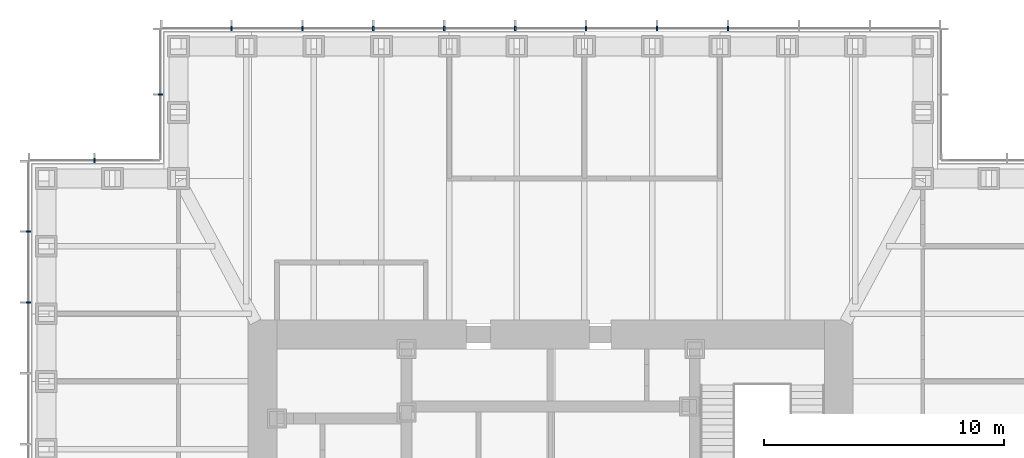
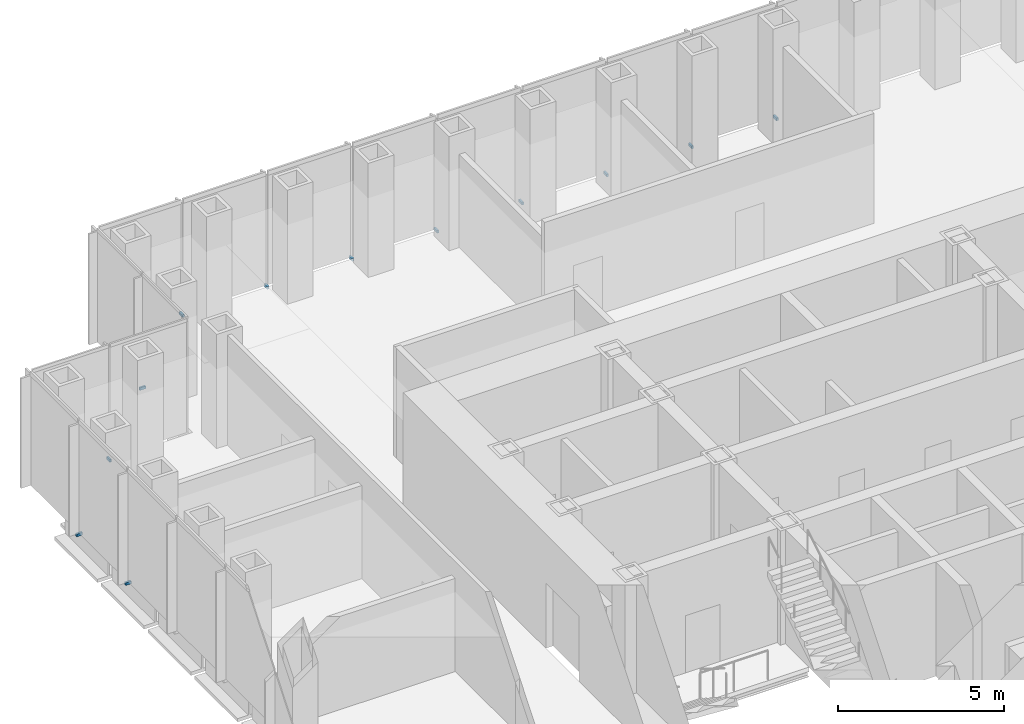
# One storey, part 14 of 16: 12 discrete accessories.
"""IFC4 building model written with IfcOpenShell, lengths in metres."""

import ifcopenshell
import ifcopenshell.guid

model = None  # the IFC model being written
_history = None  # IfcOwnerHistory: only IFC2X3 demands one
_inside = {}  # id of a spatial element -> (the spatial element, [elements in it])
_under = {}  # id of a project, library or spatial element -> (it, [spatial elements below it])
_declared = {}  # id of a project -> (the project, [libraries it declares])
_typed = {}  # id of a type object -> (the type object, [elements of that type])
_made_of = {}  # id of a material, layer set ... -> (it, [elements and type objects made of it])


def new_model(schema):
    """Start an empty IFC model of exactly this schema.

    Asked for "IFC4X3", IfcOpenShell would pick the latest addendum, in which some entities
    have other attributes; the version numbers below select the first issue.
    IFC2X3 requires an IfcOwnerHistory on every rooted entity: one is made here for all.
    """
    global model, _history
    if schema == "IFC4X3":
        model = ifcopenshell.file(schema_version=(4, 3, 0, 0))
    else:
        model = ifcopenshell.file(schema=schema)
    _inside.clear()
    _under.clear()
    _declared.clear()
    _typed.clear()
    _made_of.clear()
    _history = None
    if model.schema == "IFC2X3":
        org = make("IfcOrganization", Name="unknown")
        user = make(
            "IfcPersonAndOrganization",
            ThePerson=make("IfcPerson", FamilyName="unknown"),
            TheOrganization=org,
        )
        app = make(
            "IfcApplication",
            ApplicationDeveloper=org,
            Version="unknown",
            ApplicationFullName="unknown",
            ApplicationIdentifier="unknown",
        )
        _history = make(
            "IfcOwnerHistory",
            OwningUser=user,
            OwningApplication=app,
            ChangeAction="ADDED",
            CreationDate=0,
        )
    return model


def make(cls, **values):
    """One entity of the class cls with the attributes given. An attribute that is None is left unset."""
    return model.create_entity(
        cls, **{name: value for name, value in values.items() if value is not None}
    )


def rooted(cls, **values):
    """An entity with a GlobalId (a new one), such as an element, a storey or a relation."""
    return make(cls, GlobalId=ifcopenshell.guid.new(), OwnerHistory=_history, **values)


def si_unit(unit_type, name, prefix=None):
    """IfcSIUnit, for example si_unit("LENGTHUNIT", "METRE", prefix="MILLI")."""
    return make("IfcSIUnit", UnitType=unit_type, Prefix=prefix, Name=name)


def assignment(units):
    """IfcUnitAssignment: the units of a project."""
    return None if units is None else make("IfcUnitAssignment", Units=units)


def point(xyz):
    """IfcCartesianPoint."""
    return None if xyz is None else make("IfcCartesianPoint", Coordinates=xyz)


def direction(xyz):
    """IfcDirection."""
    return None if xyz is None else make("IfcDirection", DirectionRatios=xyz)


def frame(location, z_axis=None, x_axis=None):
    """IfcAxis2Placement3D, a coordinate frame: its origin and axes. An axis left out is left unset."""
    return make(
        "IfcAxis2Placement3D",
        Location=point(location),
        Axis=direction(z_axis),
        RefDirection=direction(x_axis),
    )


def frame_2d(location, x_axis=None):
    """IfcAxis2Placement2D, a coordinate frame in the plane: its origin and x axis."""
    return make(
        "IfcAxis2Placement2D", Location=point(location), RefDirection=direction(x_axis)
    )


def origin():
    """The frame at (0, 0, 0) with its axes left unset."""
    return frame((0.0, 0.0, 0.0))


def origin_2d():
    """The frame at (0, 0) in the plane with its x axis left unset."""
    return frame_2d((0.0, 0.0))


def place(relative_to, where):
    """IfcLocalPlacement: puts the frame where relative to a parent placement (None: the world)."""
    return make(
        "IfcLocalPlacement", PlacementRelTo=relative_to, RelativePlacement=where
    )


def context(
    kind, dimensions, precision=None, world=None, true_north=None, identifier=None
):
    """IfcGeometricRepresentationContext, for example the 3D "Model" context."""
    return make(
        "IfcGeometricRepresentationContext",
        ContextIdentifier=identifier,
        ContextType=kind,
        CoordinateSpaceDimension=dimensions,
        Precision=precision,
        WorldCoordinateSystem=world,
        TrueNorth=true_north,
    )


def subcontext(parent, identifier, kind, view, scale=None):
    """IfcGeometricRepresentationSubContext, for example "Body" below "Model"."""
    return make(
        "IfcGeometricRepresentationSubContext",
        ContextIdentifier=identifier,
        ContextType=kind,
        ParentContext=parent,
        TargetScale=scale,
        TargetView=view,
    )


def project(units=None, contexts=None):
    """IfcProject with its units and contexts."""
    return rooted(
        "IfcProject",
        Name="project",
        RepresentationContexts=contexts,
        UnitsInContext=assignment(units),
    )


def spatial(cls, under=None, at=None, **own):
    """A site, building, storey or space (cls), placed at a placement, below another one or the project."""
    s = rooted(cls, ObjectPlacement=at, **own)
    if under is not None:
        _under.setdefault(under.id(), (under, []))[1].append(s)
    return s


def profile(cls, at=None, kind="AREA", **sizes):
    """A parametric profile (cls). Its sizes go by their IFC names, for example OverallWidth=200.0."""
    return make(cls, ProfileType=kind, Position=at, **sizes)


def rectangle(**sizes):
    """IfcRectangleProfileDef."""
    return profile("IfcRectangleProfileDef", **sizes)


def extrude(swept, where, along, depth):
    """IfcExtrudedAreaSolid: the profile swept, set in the frame where, extruded along a direction by depth."""
    return make(
        "IfcExtrudedAreaSolid",
        SweptArea=swept,
        Position=where,
        ExtrudedDirection=direction(along),
        Depth=depth,
    )


def shape(context_of_items, identifier, shape_type, items):
    """IfcShapeRepresentation: the items that make up one representation, for example the "Body"."""
    return make(
        "IfcShapeRepresentation",
        ContextOfItems=context_of_items,
        RepresentationIdentifier=identifier,
        RepresentationType=shape_type,
        Items=items,
    )


def made_of(thing, what):
    """Note that an element or type object is made of a material, layer set ...; save() writes the relation."""
    if what is not None:
        _made_of.setdefault(what.id(), (what, []))[1].append(thing)
    return thing


def element(
    cls,
    number,
    at=None,
    inside=None,
    cuts=None,
    type_object=None,
    material=None,
    context=None,
    identifier="Body",
    shape_type=None,
    held_by="IfcProductDefinitionShape",
    body=None,
    shapes=None,
    **own,
):
    """One element of the class cls, such as IfcWall. Its Tag is "e" and its number.

    at: its placement. inside: the storey or other place that contains it. cuts: it is an
    opening in that element (IfcRelVoidsElement). A single representation is given by context,
    identifier, shape_type and body (its items); several are given by shapes. held_by: the class
    of the entity that holds the representations. save() writes the other relations.
    """
    e = rooted(cls, Tag="e%d" % number, ObjectPlacement=at, **own)
    if body is not None:
        shapes = [shape(context, identifier, shape_type, body)]
    if shapes is not None:
        e.Representation = make(held_by, Representations=shapes)
    if inside is not None:
        _inside.setdefault(inside.id(), (inside, []))[1].append(e)
    if cuts is not None:
        rooted(
            "IfcRelVoidsElement", RelatingBuildingElement=cuts, RelatedOpeningElement=e
        )
    if type_object is not None:
        _typed.setdefault(type_object.id(), (type_object, []))[1].append(e)
    return made_of(e, material)


def aggregate(whole, parts):
    """IfcRelAggregates: a whole, such as a stair, and the parts it consists of."""
    return rooted("IfcRelAggregates", RelatingObject=whole, RelatedObjects=parts)


def save(model, path):
    """Write the relations noted so far, then the file.

    IfcRelAggregates (storeys below a building ...), IfcRelContainedInSpatialStructure (elements
    in a storey), IfcRelDefinesByType, IfcRelAssociatesMaterial and IfcRelDeclares: one each for
    every whole, place, type object, material and project.
    """
    for whole, parts in _under.values():
        aggregate(whole, parts)
    for where, things in _inside.values():
        rooted(
            "IfcRelContainedInSpatialStructure",
            RelatedElements=things,
            RelatingStructure=where,
        )
    for kind, things in _typed.values():
        rooted("IfcRelDefinesByType", RelatedObjects=things, RelatingType=kind)
    for what, things in _made_of.values():
        rooted("IfcRelAssociatesMaterial", RelatedObjects=things, RelatingMaterial=what)
    for by, libraries in _declared.values():
        rooted("IfcRelDeclares", RelatingContext=by, RelatedDefinitions=libraries)
    model.write(path)


model = new_model("IFC4")

# Units and contexts
model_context = context("Model", 3, precision=1e-05, world=origin(), true_north=direction((0.0, 1.0)))
body_context = subcontext(model_context, "Body", "Model", "MODEL_VIEW")
ifc_project = project(units=[si_unit("LENGTHUNIT", "METRE"), si_unit("AREAUNIT", "SQUARE_METRE"), si_unit("VOLUMEUNIT", "CUBIC_METRE"), si_unit("PLANEANGLEUNIT", "RADIAN"), si_unit("MASSUNIT", "GRAM", prefix="KILO")], contexts=[model_context])

# Site, building, storey
site_placement = place(None, origin())
site = spatial("IfcSite", under=ifc_project, at=site_placement, CompositionType="ELEMENT")
building_placement = place(site_placement, origin())
building = spatial("IfcBuilding", under=site, at=building_placement, Name="Daluyong Arena Tower", CompositionType="ELEMENT")
storey_placement = place(building_placement, frame((0.0, 0.0, 189.699951171875)))
storey = spatial("IfcBuildingStorey", under=building, at=storey_placement, Name="L42", CompositionType="ELEMENT", Elevation=189.699951171875)

# Discrete accessories
for number, where, z_axis, x_axis, name in (
    (1, (63.386474609375, 101.75, -0.10009765625), (0.0, 0.0, 1.0), (-1.0, 0.0, 0.0), "curtain wall L42 N anchor bracket 4"),
    (2, (60.431884765625, 101.75, -0.10009765625), (0.0, 0.0, 1.0), (-1.0, 0.0, 0.0), "curtain wall L42 N anchor bracket 5"),
    (3, (57.477294921875, 101.75, -0.10009765625), (0.0, 0.0, 1.0), (-1.0, 0.0, 0.0), "curtain wall L42 N anchor bracket 6"),
    (4, (54.522705078125, 101.75, -0.10009765625), (0.0, 0.0, 1.0), (-1.0, 0.0, 0.0), "curtain wall L42 N anchor bracket 7"),
    (5, (51.568115234375, 101.75, -0.10009765625), (0.0, 0.0, 1.0), (-1.0, 0.0, 0.0), "curtain wall L42 N anchor bracket 8"),
    (6, (48.613525390625, 101.75, -0.10009765625), (0.0, 0.0, 1.0), (-1.0, 0.0, 0.0), "curtain wall L42 N anchor bracket 9"),
    (7, (45.6591796875, 101.75, -0.10009765625), (0.0, 0.0, 1.0), (-1.0, 0.0, 0.0), "curtain wall L42 N anchor bracket 10"),
    (8, (42.70458984375, 101.75, -0.10009765625), (0.0, 0.0, 1.0), (-1.0, 0.0, 0.0), "curtain wall L42 N anchor bracket 11"),
):
    element("IfcDiscreteAccessory", number, at=place(storey_placement, frame(where, z_axis=z_axis, x_axis=x_axis)), inside=storey, Name=name, PredefinedType="BRACKET", context=body_context, shape_type="SweptSolid", body=[
        extrude(rectangle(XDim=0.070068359375, YDim=0.199951171875, at=origin_2d()), origin(), (0.0, 0.0, 1.0), 0.10009765625),
    ])
for number, where, z_axis, x_axis, name in (
    (9, (39.75, 99.0, -0.10009765625), (0.0, 0.0, 1.0), (0.0, -1.0, 0.0), "curtain wall L42 NW-W anchor bracket 2"),
    (10, (37.0, 96.25, -0.10009765625), (0.0, 0.0, 1.0), (-1.0, 0.0, 0.0), "curtain wall L42 NW-N anchor bracket 2"),
):
    element("IfcDiscreteAccessory", number, at=place(storey_placement, frame(where, z_axis=z_axis, x_axis=x_axis)), inside=storey, Name=name, PredefinedType="BRACKET", context=body_context, shape_type="SweptSolid", body=[
        extrude(rectangle(XDim=0.06005859375, YDim=0.199951171875, at=origin_2d()), origin(), (0.0, 0.0, 1.0), 0.10009765625),
    ])
for number, where, z_axis, x_axis, name in (
    (11, (34.25, 93.29541015625, -0.10009765625), (0.0, 0.0, 1.0), (0.0, -1.0, 0.0), "curtain wall L42 W anchor bracket 2"),
    (12, (34.25, 90.3408203125, -0.10009765625), (0.0, 0.0, 1.0), (0.0, -1.0, 0.0), "curtain wall L42 W anchor bracket 3"),
):
    element("IfcDiscreteAccessory", number, at=place(storey_placement, frame(where, z_axis=z_axis, x_axis=x_axis)), inside=storey, Name=name, PredefinedType="BRACKET", context=body_context, shape_type="SweptSolid", body=[
        extrude(rectangle(XDim=0.070068359375, YDim=0.199951171875, at=origin_2d()), origin(), (0.0, 0.0, 1.0), 0.10009765625),
    ])

save(model, "model.ifc")
